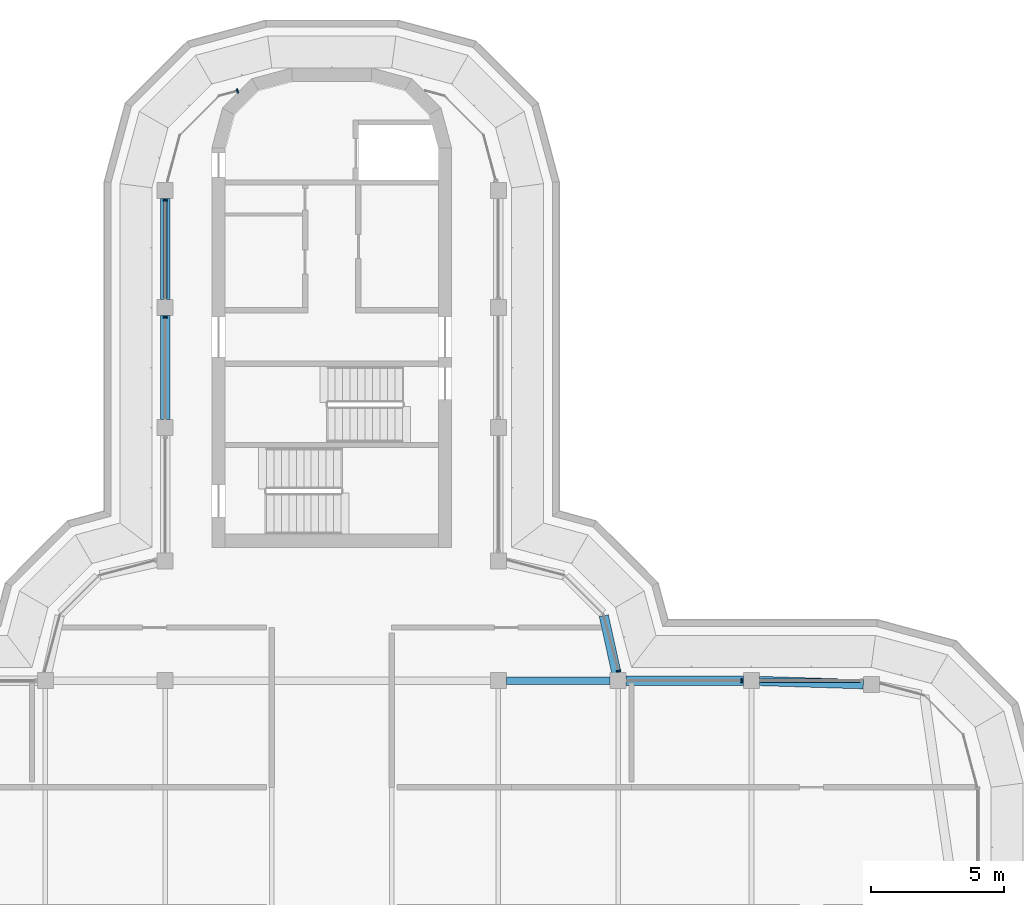
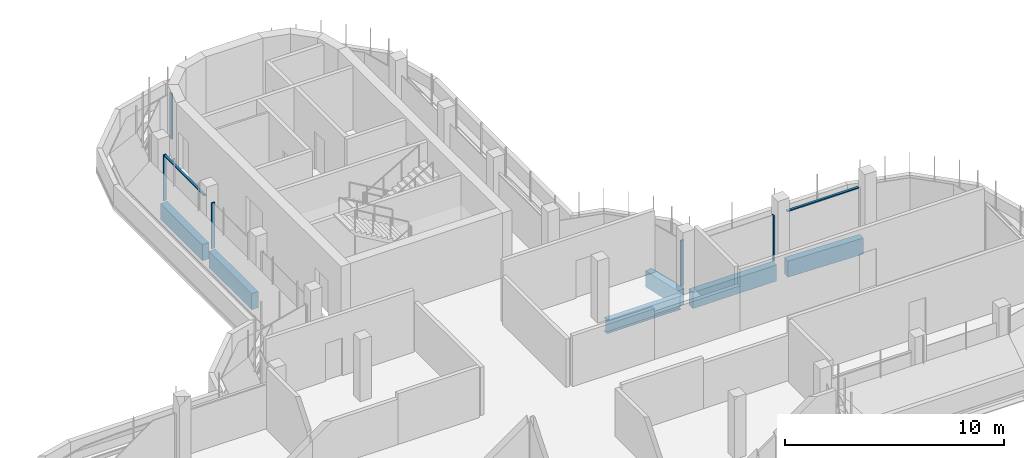
# One storey, part 7 of 19: 7 members, 6 beams, 4 elements without a shape of their own.
"""IFC4 building model written with IfcOpenShell, lengths in metres."""

from ifc_helpers import new_model, si_unit, direction, frame, origin, origin_2d, place, context, subcontext, project, spatial, polyline, rectangle, i_section, outline, extrude, source, transform, mapped, material, material_profile, profile_set, type_object, element, aggregate, save


model = new_model("IFC4")

# Units and contexts
model_context = context("Model", 3, precision=1e-05, world=origin(), true_north=direction((0.0, 1.0)))
body_context = subcontext(model_context, "Body", "Model", "MODEL_VIEW")
ifc_project = project(units=[si_unit("LENGTHUNIT", "METRE"), si_unit("AREAUNIT", "SQUARE_METRE"), si_unit("VOLUMEUNIT", "CUBIC_METRE"), si_unit("PLANEANGLEUNIT", "RADIAN"), si_unit("MASSUNIT", "GRAM", prefix="KILO")], contexts=[model_context])

# Site, building, storey
site_placement = place(None, origin())
site = spatial("IfcSite", under=ifc_project, at=site_placement, CompositionType="ELEMENT")
building_placement = place(site_placement, origin())
building = spatial("IfcBuilding", under=site, at=building_placement, Name="Zarbagh Exchange Tower", CompositionType="ELEMENT")
storey_placement = place(building_placement, frame((0.0, 0.0, 295.199951171875)))
storey = spatial("IfcBuildingStorey", under=building, at=storey_placement, Name="L72", CompositionType="ELEMENT", Elevation=295.199951171875)

# Beams
ifc_material_1 = material(Name="Steel ASTM A992 Gr 50", Category="steel")
ifc_material_profile_1 = material_profile(ifc_material_1, i_section(OverallWidth=0.26416015625, OverallDepth=0.749267578125, WebThickness=0.011962890625, FlangeThickness=0.015380859375, at=origin_2d()), Name="W30X90")
ifc_profile_set_1 = profile_set([ifc_material_profile_1], Name="Steel ASTM A992 Gr 50")
beam_type_1 = type_object("IfcBeamType", Name="Floor girder W30X90", PredefinedType="BEAM", material=ifc_profile_set_1)
beam_1_placement = place(storey_placement, frame((6.550048828125, 6.25, -0.524658203125), z_axis=(1.0, 0.0, 0.0), x_axis=(0.0, 1.0, 0.0)))
element("IfcBeam", 1, at=beam_1_placement, inside=storey, type_object=beam_type_1, Name="Steel girder", PredefinedType="BEAM", context=body_context, shape_type="SweptSolid", body=[
    extrude(i_section(OverallWidth=0.26416015625, OverallDepth=0.749267578125, WebThickness=0.011962890625, FlangeThickness=0.015380859375, at=origin_2d()), origin(), (0.0, 0.0, 1.0), 3.89990234375),
])
ifc_material_2 = material(Name="Concrete C40/50", Category="concrete")
ifc_material_profile_2 = material_profile(ifc_material_2, rectangle(XDim=0.35009765625, YDim=0.89990234375, at=origin_2d()), Name="RC spandrel beam 350 x 900 C40/50")
ifc_profile_set_2 = profile_set([ifc_material_profile_2], Name="Concrete C40/50")
beam_type_2 = type_object("IfcBeamType", Name="RC spandrel beam 350 x 900 C40/50", PredefinedType="SPANDREL", material=ifc_profile_set_2)
beam_2_placement = place(storey_placement, frame((-6.25, 16.050048828125, -0.599853515625), z_axis=(0.0, 1.0, 0.0), x_axis=(-1.0, 0.0, 0.0)))
element("IfcBeam", 2, at=beam_2_placement, inside=storey, type_object=beam_type_2, Name="RC spandrel beam", PredefinedType="SPANDREL", context=body_context, shape_type="SweptSolid", body=[
    extrude(rectangle(XDim=0.35009765625, YDim=0.89990234375, at=origin_2d()), origin(), (0.0, 0.0, 1.0), 3.89990234375),
])
beam_3_placement = place(storey_placement, frame((-6.25, 20.550048828125, -0.599853515625), z_axis=(0.0, 1.0, 0.0), x_axis=(-1.0, 0.0, 0.0)))
element("IfcBeam", 3, at=beam_3_placement, inside=storey, type_object=beam_type_2, Name="RC spandrel beam", PredefinedType="SPANDREL", context=body_context, shape_type="SweptSolid", body=[
    extrude(rectangle(XDim=0.35009765625, YDim=0.89990234375, at=origin_2d()), origin(), (0.0, 0.0, 1.0), 3.800048828125),
])
beam_4_placement = place(storey_placement, frame((10.2099609375, 8.69140625, -0.599853515625), z_axis=(0.216025770228, -0.976387662047, 0.0), x_axis=(0.976387662047, 0.216025770228, 0.0)))
element("IfcBeam", 4, at=beam_4_placement, inside=storey, type_object=beam_type_2, Name="RC spandrel beam", PredefinedType="SPANDREL", context=body_context, shape_type="SweptSolid", body=[
    extrude(rectangle(XDim=0.35009765625, YDim=0.89990234375, at=origin_2d()), origin(), (0.0, 0.0, 1.0), 2.200439453125),
])
beam_5_placement = place(storey_placement, frame((11.050048828125, 6.25, -0.599853515625), z_axis=(1.0, 0.0, 0.0), x_axis=(0.0, 1.0, 0.0)))
element("IfcBeam", 5, at=beam_5_placement, inside=storey, type_object=beam_type_2, Name="RC spandrel beam", PredefinedType="SPANDREL", context=body_context, shape_type="SweptSolid", body=[
    extrude(rectangle(XDim=0.35009765625, YDim=0.89990234375, at=origin_2d()), origin(), (0.0, 0.0, 1.0), 4.39990234375),
])
beam_6_placement = place(storey_placement, frame((16.0498046875, 6.24072265625, -0.599853515625), z_axis=(0.999516460907, -0.031094121249, 0.0), x_axis=(0.031094121249, 0.999516460907, 0.0)))
element("IfcBeam", 6, at=beam_6_placement, inside=storey, type_object=beam_type_2, Name="RC spandrel beam", PredefinedType="SPANDREL", context=body_context, shape_type="SweptSolid", body=[
    extrude(rectangle(XDim=0.35009765625, YDim=0.89990234375, at=origin_2d()), origin(), (0.0, 0.0, 1.0), 3.90234375),
])

# Curtain wall, member
ifc_material_3 = material(Name="Anodised aluminium frame and glazing", Category="aluminium")
curtain_wall_type = type_object("IfcCurtainWallType", Name="CWF Crown tier glazing", PredefinedType="NOTDEFINED", material=ifc_material_3)
curtain_wall_1_placement = place(storey_placement, origin())
curtain_wall_1 = element("IfcCurtainWall", 7, at=curtain_wall_1_placement, inside=storey, type_object=curtain_wall_type, Name="CWF16 curtain wall", PredefinedType="NOTDEFINED")
ifc_material_4 = material(Name="Anodised aluminium frame", Category="aluminium")
member_type_1 = type_object("IfcMemberType", Name="TRF Transom, anodised aluminium frame", PredefinedType="USERDEFINED", material=ifc_material_4)
shared_shape_1 = source(origin(), body_context, "Body", "SweptSolid", [
    extrude(outline(polyline([(-0.06005859375, -0.06005859375), (0.0, -0.06005859375), (0.0, 0.06005859375), (-0.06005859375, 0.06005859375), (-0.06005859375, -0.06005859375)])), origin(), (0.0, 0.0, 1.0), 3.760009765625),
])
placement = place(storey_placement, origin())
member_1 = element("IfcMember", 8, at=placement, type_object=member_type_1, Name="CWF16 transom 1.1", ObjectType="TRANSOM", PredefinedType="USERDEFINED", context=body_context, shape_type="MappedRepresentation", body=[
    mapped(shared_shape_1, transform((19.849853515625, 6.25, 2.550048828125), x_axis=(0.0, 0.0, 1.0), y_axis=(0.0, 1.0, 0.0), z_axis=(-1.0, 0.0, 0.0))),
])

curtain_wall_2_placement = place(storey_placement, origin())
curtain_wall_2 = element("IfcCurtainWall", 9, at=curtain_wall_2_placement, inside=storey, type_object=curtain_wall_type, Name="CWF27 curtain wall", PredefinedType="NOTDEFINED")
shared_shape_2 = source(origin(), body_context, "Body", "SweptSolid", [
    extrude(outline(polyline([(-0.06005859375, -0.06005859375), (0.0, -0.06005859375), (0.0, 0.06005859375), (-0.06005859375, 0.06005859375), (-0.06005859375, -0.06005859375)])), origin(), (0.0, 0.0, 1.0), 3.659912109375),
])
member_2 = element("IfcMember", 10, at=placement, type_object=member_type_1, Name="CWF27 transom 1.1", ObjectType="TRANSOM", PredefinedType="USERDEFINED", context=body_context, shape_type="MappedRepresentation", body=[
    mapped(shared_shape_2, transform((-6.25, 24.25, 2.550048828125), x_axis=(0.0, 0.0, 1.0), y_axis=(-1.0, 0.0, 0.0), z_axis=(0.0, -1.0, 0.0))),
])

# Member
member_type_2 = type_object("IfcMemberType", Name="MUF Mullion, anodised aluminium frame", PredefinedType="MULLION", material=ifc_material_4)
shared_shape_3 = source(origin(), body_context, "Body", "SweptSolid", [
    extrude(outline(polyline([(0.0, -0.080078125), (0.06005859375, -0.080078125), (0.06005859375, 0.080078125), (0.0, 0.080078125), (0.0, -0.080078125)])), origin(), (0.0, 0.0, 1.0), 2.550048828125),
])
member_3 = element("IfcMember", 11, at=placement, type_object=member_type_2, Name="CWF16 mullion 2.1", PredefinedType="MULLION", context=body_context, shape_type="MappedRepresentation", body=[
    mapped(shared_shape_3, transform((15.409912109375, 6.25, 0.0), x_axis=(-1.0, 0.0, 0.0), y_axis=(0.0, -1.0, 0.0), z_axis=(0.0, 0.0, 1.0))),
])

aggregate(curtain_wall_1, [member_1, member_3])

# Curtain wall, member
curtain_wall_3_placement = place(storey_placement, origin())
curtain_wall_3 = element("IfcCurtainWall", 12, at=curtain_wall_3_placement, inside=storey, type_object=curtain_wall_type, Name="CWF17 curtain wall", PredefinedType="NOTDEFINED")
member_4 = element("IfcMember", 13, at=placement, type_object=member_type_2, Name="CWF17 mullion 1.1", PredefinedType="MULLION", context=body_context, shape_type="MappedRepresentation", body=[
    mapped(shared_shape_3, transform((10.775146484375, 6.590087890625, 0.0), x_axis=(-0.258824779902, 0.965924289636, 0.0), y_axis=(-0.965924289636, -0.258824779902, 0.0), z_axis=(0.0, 0.0, 1.0))),
])
aggregate(curtain_wall_3, [member_4])

curtain_wall_4_placement = place(storey_placement, origin())
curtain_wall_4 = element("IfcCurtainWall", 14, at=curtain_wall_4_placement, inside=storey, type_object=curtain_wall_type, Name="CWF24 curtain wall", PredefinedType="NOTDEFINED")
member_5 = element("IfcMember", 15, at=placement, type_object=member_type_2, Name="CWF24 mullion 1.1", PredefinedType="MULLION", context=body_context, shape_type="MappedRepresentation", body=[
    mapped(shared_shape_3, transform((-3.510009765625, 28.394775390625, 0.0), x_axis=(-0.965924289636, -0.258824779902, 0.0), y_axis=(0.258824779902, -0.965924289636, 0.0), z_axis=(0.0, 0.0, 1.0))),
])
aggregate(curtain_wall_4, [member_5])

# Member
member_6 = element("IfcMember", 16, at=placement, type_object=member_type_2, Name="CWF27 mullion 1.1", PredefinedType="MULLION", context=body_context, shape_type="MappedRepresentation", body=[
    mapped(shared_shape_3, transform((-6.25, 24.31005859375, 0.0), x_axis=(0.0, -1.0, 0.0), y_axis=(1.0, 0.0, 0.0), z_axis=(0.0, 0.0, 1.0))),
])

member_7 = element("IfcMember", 17, at=placement, type_object=member_type_2, Name="CWF27 mullion 2.1", PredefinedType="MULLION", context=body_context, shape_type="MappedRepresentation", body=[
    mapped(shared_shape_3, transform((-6.25, 19.909912109375, 0.0), x_axis=(0.0, -1.0, 0.0), y_axis=(1.0, 0.0, 0.0), z_axis=(0.0, 0.0, 1.0))),
])

aggregate(curtain_wall_2, [member_6, member_2, member_7])

save(model, "model.ifc")
